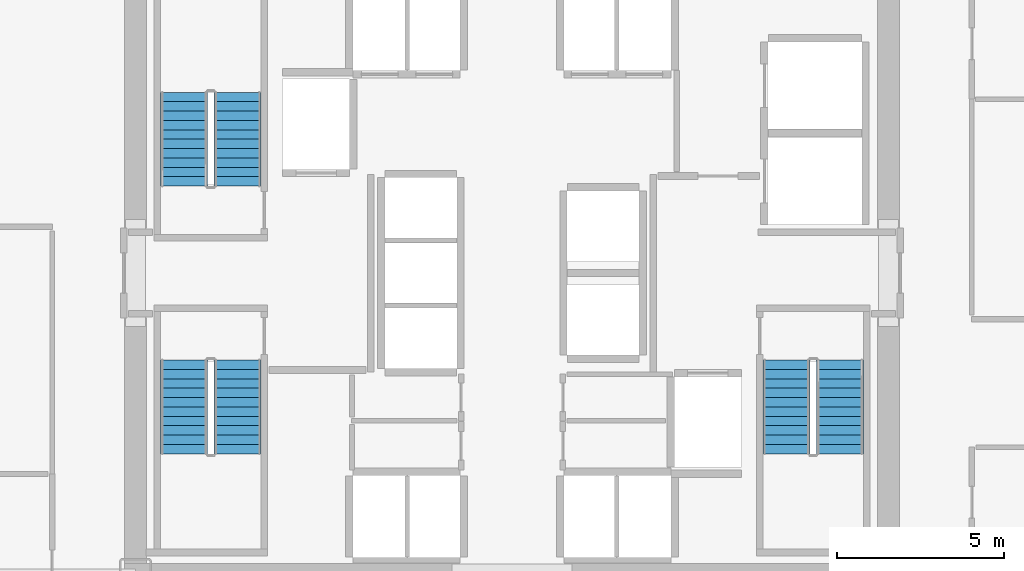
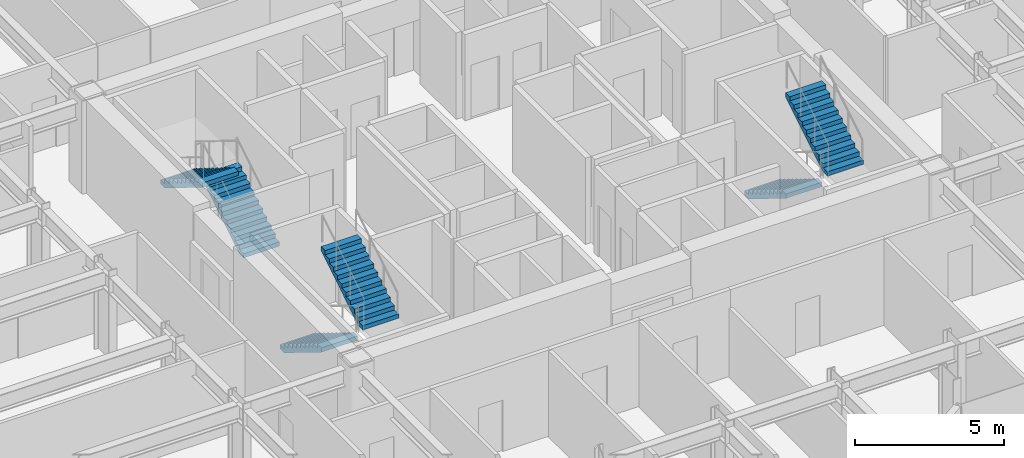
# One storey, part 25 of 26: 6 stair flights, 3 elements without a shape of their own.
"""IFC4 building model written with IfcOpenShell, lengths in metres."""

from ifc_helpers import new_model, si_unit, direction, frame, origin, place, context, subcontext, project, spatial, polyline, outline, extrude, source, transform, mapped, material, type_object, element, aggregate, save


model = new_model("IFC4")

# Units and contexts
model_context = context("Model", 3, precision=1e-05, world=origin(), true_north=direction((0.0, 1.0)))
body_context = subcontext(model_context, "Body", "Model", "MODEL_VIEW")
ifc_project = project(units=[si_unit("LENGTHUNIT", "METRE"), si_unit("AREAUNIT", "SQUARE_METRE"), si_unit("VOLUMEUNIT", "CUBIC_METRE"), si_unit("PLANEANGLEUNIT", "RADIAN"), si_unit("MASSUNIT", "GRAM", prefix="KILO")], contexts=[model_context])

# Site, building, storey
site_placement = place(None, origin())
site = spatial("IfcSite", under=ifc_project, at=site_placement, CompositionType="ELEMENT")
building_placement = place(site_placement, origin())
building = spatial("IfcBuilding", under=site, at=building_placement, Name="Nefas-Gora Pilgrimage Tower", CompositionType="ELEMENT")
storey_placement = place(building_placement, frame((0.0, 0.0, 59.60009765625)))
storey = spatial("IfcBuildingStorey", under=building, at=storey_placement, Name="L13", CompositionType="ELEMENT", Elevation=59.60009765625)

# Stair, stair flights
ifc_material = material(Name="Concrete C45/55", Category="concrete")
stair_type = type_object("IfcStairType", Name="STR-1400-R1727", PredefinedType="HALF_TURN_STAIR", material=ifc_material)
stair_1_placement = place(storey_placement, origin())
stair_1 = element("IfcStair", 1, at=stair_1_placement, inside=storey, type_object=stair_type, Name="L13 Pressurised Tower Exit Stair ST-01", PredefinedType="HALF_TURN_STAIR")
stair_flight_type = type_object("IfcStairFlightType", Name="STF-1400-R1727", PredefinedType="STRAIGHT", material=ifc_material)
shared_shape = source(origin(), body_context, "Body", "SweptSolid", [
    extrude(outline(polyline([(0.0, 0.0), (0.0, 0.172607421875), (0.280029296875, 0.172607421875), (0.280029296875, 0.345458984375), (0.56005859375, 0.345458984375), (0.56005859375, 0.51806640625), (0.840087890625, 0.51806640625), (0.840087890625, 0.69091796875), (1.1201171875, 0.69091796875), (1.1201171875, 0.863525390625), (1.39990234375, 0.863525390625), (1.39990234375, 1.036376953125), (1.679931640625, 1.036376953125), (1.679931640625, 1.208984375), (1.9599609375, 1.208984375), (1.9599609375, 1.3818359375), (2.239990234375, 1.3818359375), (2.239990234375, 1.554443359375), (2.52001953125, 1.554443359375), (2.52001953125, 1.727294921875), (2.800048828125, 1.727294921875), (2.800048828125, 1.89990234375), (2.800048828125, 1.551025390625), (0.285400390625, 0.0), (0.0, 0.0)])), frame((0.0, 0.699951171875, 0.0), z_axis=(0.0, -1.0, 0.0), x_axis=(1.0, 0.0, 0.0)), (0.0, 0.0, 1.0), 1.39990234375),
])
stair_flight_1_placement = place(storey_placement, frame((-8.199951171875, 2.60009765625, 0.0), z_axis=(0.0, 0.0, 1.0), x_axis=(0.0, 1.0, 0.0)))
stair_flight_1 = element("IfcStairFlight", 2, at=stair_flight_1_placement, type_object=stair_flight_type, Name="ST-01 flight 1", NumberOfRisers=11, NumberOfTreads=10, PredefinedType="STRAIGHT", RiserHeight=0.172727273, TreadLength=0.28, context=body_context, shape_type="MappedRepresentation", body=[
    mapped(shared_shape, transform((0.0, 0.0, 0.0), x_axis=(1.0, 0.0, 0.0), y_axis=(0.0, 1.0, 0.0), z_axis=(0.0, 0.0, 1.0), scale=1.0)),
])
stair_flight_2_placement = place(storey_placement, frame((-9.800048828125, 5.39990234375, 1.89990234375), z_axis=(0.0, 0.0, 1.0), x_axis=(0.0, -1.0, 0.0)))
stair_flight_2 = element("IfcStairFlight", 3, at=stair_flight_2_placement, type_object=stair_flight_type, Name="ST-01 flight 2", NumberOfRisers=11, NumberOfTreads=10, PredefinedType="STRAIGHT", RiserHeight=0.172727273, TreadLength=0.28, context=body_context, shape_type="MappedRepresentation", body=[
    mapped(shared_shape, transform((0.0, 0.0, 0.0), x_axis=(1.0, 0.0, 0.0), y_axis=(0.0, 1.0, 0.0), z_axis=(0.0, 0.0, 1.0), scale=1.0)),
])
aggregate(stair_1, [stair_flight_1, stair_flight_2])

stair_2_placement = place(storey_placement, origin())
stair_2 = element("IfcStair", 4, at=stair_2_placement, inside=storey, type_object=stair_type, Name="L13 Pressurised Tower Exit Stair ST-02", PredefinedType="HALF_TURN_STAIR")
stair_flight_3_placement = place(storey_placement, frame((8.199951171875, -2.60009765625, 0.0), z_axis=(0.0, 0.0, 1.0), x_axis=(0.0, -1.0, 0.0)))
stair_flight_3 = element("IfcStairFlight", 5, at=stair_flight_3_placement, type_object=stair_flight_type, Name="ST-02 flight 1", NumberOfRisers=11, NumberOfTreads=10, PredefinedType="STRAIGHT", RiserHeight=0.172727273, TreadLength=0.28, context=body_context, shape_type="MappedRepresentation", body=[
    mapped(shared_shape, transform((0.0, 0.0, 0.0), x_axis=(1.0, 0.0, 0.0), y_axis=(0.0, 1.0, 0.0), z_axis=(0.0, 0.0, 1.0), scale=1.0)),
])
stair_flight_4_placement = place(storey_placement, frame((9.800048828125, -5.39990234375, 1.89990234375), z_axis=(0.0, 0.0, 1.0), x_axis=(0.0, 1.0, 0.0)))
stair_flight_4 = element("IfcStairFlight", 6, at=stair_flight_4_placement, type_object=stair_flight_type, Name="ST-02 flight 2", NumberOfRisers=11, NumberOfTreads=10, PredefinedType="STRAIGHT", RiserHeight=0.172727273, TreadLength=0.28, context=body_context, shape_type="MappedRepresentation", body=[
    mapped(shared_shape, transform((0.0, 0.0, 0.0), x_axis=(1.0, 0.0, 0.0), y_axis=(0.0, 1.0, 0.0), z_axis=(0.0, 0.0, 1.0), scale=1.0)),
])
aggregate(stair_2, [stair_flight_3, stair_flight_4])

stair_3_placement = place(storey_placement, origin())
stair_3 = element("IfcStair", 7, at=stair_3_placement, inside=storey, type_object=stair_type, Name="L13 Pressurised Tower Exit Stair ST-03", PredefinedType="HALF_TURN_STAIR")
stair_flight_5_placement = place(storey_placement, frame((-9.800048828125, -2.60009765625, 0.0), z_axis=(0.0, 0.0, 1.0), x_axis=(0.0, -1.0, 0.0)))
stair_flight_5 = element("IfcStairFlight", 8, at=stair_flight_5_placement, type_object=stair_flight_type, Name="ST-03 flight 1", NumberOfRisers=11, NumberOfTreads=10, PredefinedType="STRAIGHT", RiserHeight=0.172727273, TreadLength=0.28, context=body_context, shape_type="MappedRepresentation", body=[
    mapped(shared_shape, transform((0.0, 0.0, 0.0), x_axis=(1.0, 0.0, 0.0), y_axis=(0.0, 1.0, 0.0), z_axis=(0.0, 0.0, 1.0), scale=1.0)),
])
stair_flight_6_placement = place(storey_placement, frame((-8.199951171875, -5.39990234375, 1.89990234375), z_axis=(0.0, 0.0, 1.0), x_axis=(0.0, 1.0, 0.0)))
stair_flight_6 = element("IfcStairFlight", 9, at=stair_flight_6_placement, type_object=stair_flight_type, Name="ST-03 flight 2", NumberOfRisers=11, NumberOfTreads=10, PredefinedType="STRAIGHT", RiserHeight=0.172727273, TreadLength=0.28, context=body_context, shape_type="MappedRepresentation", body=[
    mapped(shared_shape, transform((0.0, 0.0, 0.0), x_axis=(1.0, 0.0, 0.0), y_axis=(0.0, 1.0, 0.0), z_axis=(0.0, 0.0, 1.0), scale=1.0)),
])
aggregate(stair_3, [stair_flight_5, stair_flight_6])

save(model, "model.ifc")
